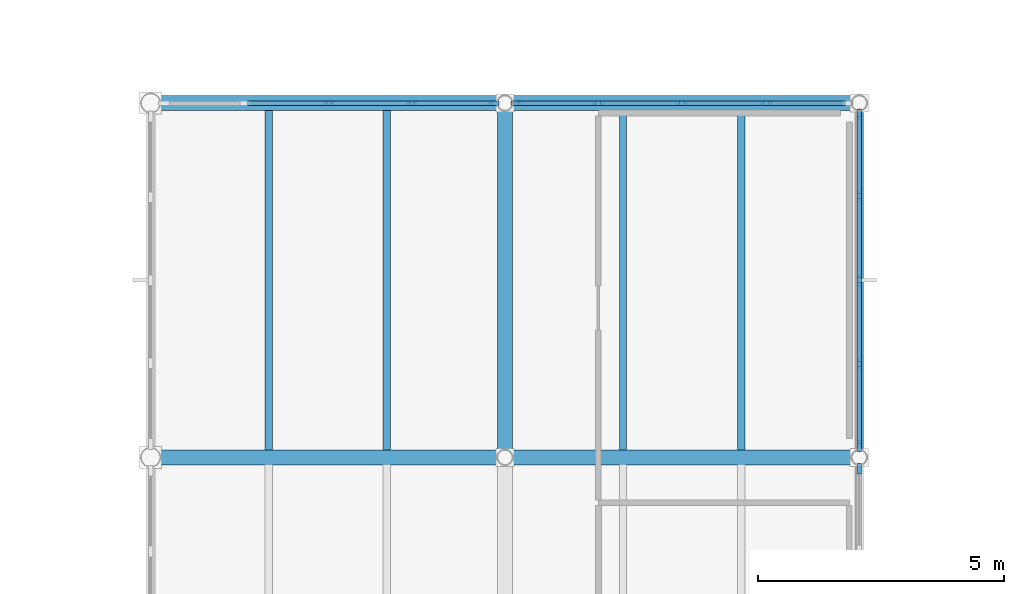
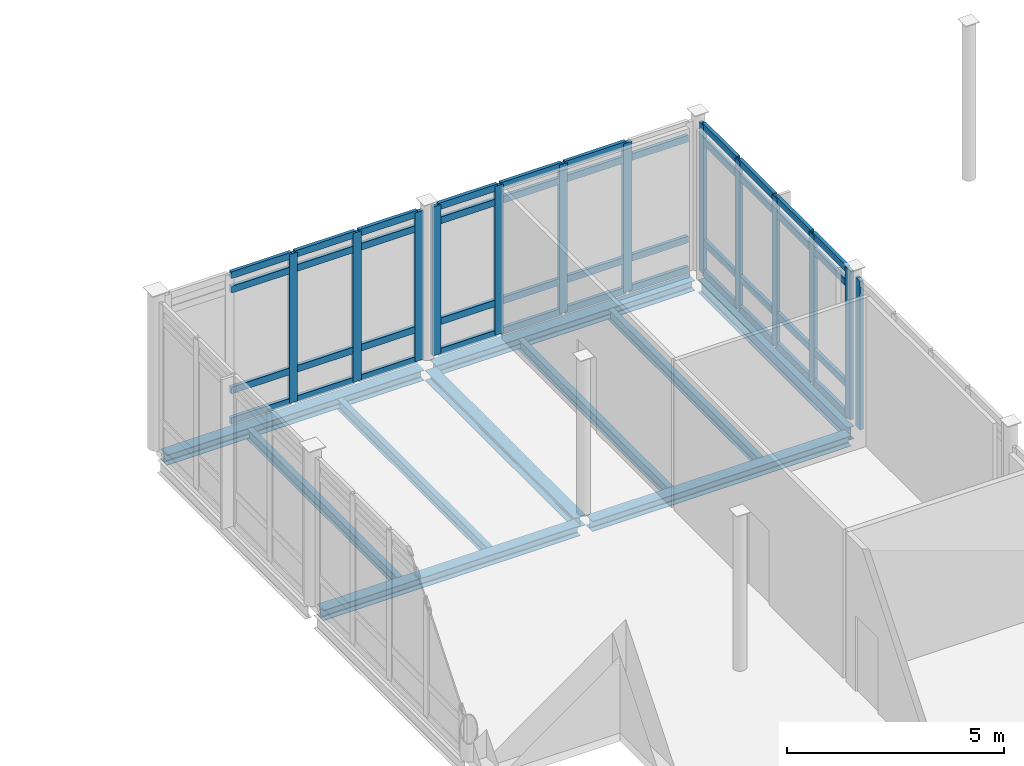
# One storey, part 32 of 76: 56 members, 10 beams, 4 elements without a shape of their own.
"""IFC4 building model written with IfcOpenShell, lengths in metres."""

from ifc_helpers import new_model, si_unit, direction, frame, origin, origin_2d, place, context, subcontext, project, spatial, rectangle, i_section, extrude, material, layer, layer_set, material_profile, profile_set, type_object, element, aggregate, save


model = new_model("IFC4")

# Units and contexts
model_context = context("Model", 3, precision=1e-05, world=origin(), true_north=direction((0.0, 1.0)))
body_context = subcontext(model_context, "Body", "Model", "MODEL_VIEW")
ifc_project = project(units=[si_unit("LENGTHUNIT", "METRE"), si_unit("AREAUNIT", "SQUARE_METRE"), si_unit("VOLUMEUNIT", "CUBIC_METRE"), si_unit("PLANEANGLEUNIT", "RADIAN"), si_unit("MASSUNIT", "GRAM", prefix="KILO")], contexts=[model_context])

# Site, building, storey
site_placement = place(None, origin())
site = spatial("IfcSite", under=ifc_project, at=site_placement, CompositionType="ELEMENT")
building_placement = place(site_placement, origin())
building = spatial("IfcBuilding", under=site, at=building_placement, Name="Zarrinpeak Specialist Clinic", CompositionType="ELEMENT")
storey_placement = place(building_placement, frame((0.0, 0.0, 5.199951171875)))
storey = spatial("IfcBuildingStorey", under=building, at=storey_placement, Name="L01", CompositionType="ELEMENT", Elevation=5.199951171875)

# Beams
ifc_material_1 = material(Name="Steel S355", Category="steel")
ifc_material_profile_1 = material_profile(ifc_material_1, i_section(OverallWidth=0.300048828125, OverallDepth=0.2900390625, WebThickness=0.008544921875, FlangeThickness=0.013916015625, FilletRadius=0.027099609375, at=origin_2d()), Name="HEA 300")
ifc_profile_set_1 = profile_set([ifc_material_profile_1], Name="Steel S355")
beam_type_1 = type_object("IfcBeamType", Name="BM-HEA300", PredefinedType="BEAM", material=ifc_profile_set_1)
beam_1_placement = place(storey_placement, frame((93.80126953125, 64.800048828125, -0.375), z_axis=(1.0, 0.0, 0.0), x_axis=(0.0, 1.0, 0.0)))
element("IfcBeam", 1, at=beam_1_placement, inside=storey, type_object=beam_type_1, Name="L01 Primary Floor Girder BM-L01-X0795", PredefinedType="BEAM", context=body_context, shape_type="SweptSolid", body=[
    extrude(i_section(OverallWidth=0.300048828125, OverallDepth=0.2900390625, WebThickness=0.008544921875, FlangeThickness=0.013916015625, FilletRadius=0.027099609375, at=origin_2d()), origin(), (0.0, 0.0, 1.0), 6.838623046875),
])
beam_2_placement = place(storey_placement, frame((100.9599609375, 64.800048828125, -0.375), z_axis=(1.0, 0.0, 0.0), x_axis=(0.0, 1.0, 0.0)))
element("IfcBeam", 2, at=beam_2_placement, inside=storey, type_object=beam_type_1, Name="L01 Primary Floor Girder BM-L01-X0796", PredefinedType="BEAM", context=body_context, shape_type="SweptSolid", body=[
    extrude(i_section(OverallWidth=0.300048828125, OverallDepth=0.2900390625, WebThickness=0.008544921875, FlangeThickness=0.013916015625, FilletRadius=0.027099609375, at=origin_2d()), origin(), (0.0, 0.0, 1.0), 6.880126953125),
])
beam_3_placement = place(storey_placement, frame((93.80126953125, 72.0, -0.375), z_axis=(1.0, 0.0, 0.0), x_axis=(0.0, 1.0, 0.0)))
element("IfcBeam", 3, at=beam_3_placement, inside=storey, type_object=beam_type_1, Name="L01 Primary Floor Girder BM-L01-X0801", PredefinedType="BEAM", context=body_context, shape_type="SweptSolid", body=[
    extrude(i_section(OverallWidth=0.300048828125, OverallDepth=0.2900390625, WebThickness=0.008544921875, FlangeThickness=0.013916015625, FilletRadius=0.027099609375, at=origin_2d()), origin(), (0.0, 0.0, 1.0), 6.838623046875),
])
for number, where, z_axis, x_axis, name in (
    (4, (100.9599609375, 72.0, -0.375), (1.0, 0.0, 0.0), (0.0, 1.0, 0.0), "L01 Primary Floor Girder BM-L01-X0802"),
    (5, (100.800048828125, 64.9599609375, -0.375), (0.0, 1.0, 0.0), (-1.0, 0.0, 0.0), "L01 Primary Beam BM-L01-Y0938"),
):
    element("IfcBeam", number, at=place(storey_placement, frame(where, z_axis=z_axis, x_axis=x_axis)), inside=storey, type_object=beam_type_1, Name=name, PredefinedType="BEAM", context=body_context, shape_type="SweptSolid", body=[
        extrude(i_section(OverallWidth=0.300048828125, OverallDepth=0.2900390625, WebThickness=0.008544921875, FlangeThickness=0.013916015625, FilletRadius=0.027099609375, at=origin_2d()), origin(), (0.0, 0.0, 1.0), 6.880126953125),
    ])
ifc_material_profile_2 = material_profile(ifc_material_1, i_section(OverallWidth=0.14990234375, OverallDepth=0.300048828125, WebThickness=0.007080078125, FlangeThickness=0.0107421875, FilletRadius=0.014892578125, at=origin_2d()), Name="IPE 300")
ifc_profile_set_2 = profile_set([ifc_material_profile_2], Name="Steel S355")
beam_type_2 = type_object("IfcBeamType", Name="BM-JST300", PredefinedType="JOIST", material=ifc_profile_set_2)
for number, where, z_axis, x_axis, name in (
    (6, (96.0, 64.947998046875, -0.3798828125), (0.0, 1.0, 0.0), (-1.0, 0.0, 0.0), "L01 Composite Floor Joist JST-L01-1031"),
    (7, (98.39990234375, 64.947998046875, -0.3798828125), (0.0, 1.0, 0.0), (-1.0, 0.0, 0.0), "L01 Composite Floor Joist JST-L01-1032"),
    (8, (103.199951171875, 64.947998046875, -0.3798828125), (0.0, 1.0, 0.0), (-1.0, 0.0, 0.0), "L01 Composite Floor Joist JST-L01-1043"),
    (9, (105.60009765625, 64.947998046875, -0.3798828125), (0.0, 1.0, 0.0), (-1.0, 0.0, 0.0), "L01 Composite Floor Joist JST-L01-1044"),
):
    element("IfcBeam", number, at=place(storey_placement, frame(where, z_axis=z_axis, x_axis=x_axis)), inside=storey, type_object=beam_type_2, Name=name, PredefinedType="JOIST", context=body_context, shape_type="SweptSolid", body=[
        extrude(i_section(OverallWidth=0.14990234375, OverallDepth=0.300048828125, WebThickness=0.007080078125, FlangeThickness=0.0107421875, FilletRadius=0.014892578125, at=origin_2d()), origin(), (0.0, 0.0, 1.0), 6.904052734375),
    ])
ifc_material_profile_3 = material_profile(ifc_material_1, i_section(OverallWidth=0.169921875, OverallDepth=0.360107421875, WebThickness=0.008056640625, FlangeThickness=0.0126953125, FilletRadius=0.01806640625, at=origin_2d()), Name="IPE 360")
ifc_profile_set_3 = profile_set([ifc_material_profile_3], Name="Steel S355")
beam_type_3 = type_object("IfcBeamType", Name="BM-SP360", PredefinedType="SPANDREL", material=ifc_profile_set_3)
beam_4_placement = place(storey_placement, frame((108.0, 64.9599609375, -0.409912109375), z_axis=(0.0, 1.0, 0.0), x_axis=(-1.0, 0.0, 0.0)))
element("IfcBeam", 10, at=beam_4_placement, inside=storey, type_object=beam_type_3, Name="L01 Perimeter Spandrel Beam BM-L01-Y0944", PredefinedType="SPANDREL", context=body_context, shape_type="SweptSolid", body=[
    extrude(i_section(OverallWidth=0.169921875, OverallDepth=0.360107421875, WebThickness=0.008056640625, FlangeThickness=0.0126953125, FilletRadius=0.01806640625, at=origin_2d()), origin(), (0.0, 0.0, 1.0), 6.880126953125),
])

# Curtain wall, members
ifc_material_2 = material(Name="Anodised Aluminium Alloy 6063-T6", Category="aluminium")
ifc_layer = layer(ifc_material_2, 0.199951171875)
ifc_layer_set = layer_set([ifc_layer], Name="Anodised Aluminium Alloy 6063-T6")
curtain_wall_type = type_object("IfcCurtainWallType", Name="CW-HALL", PredefinedType="NOTDEFINED", material=ifc_layer_set)
curtain_wall_1_placement = place(storey_placement, origin())
curtain_wall_1 = element("IfcCurtainWall", 11, at=curtain_wall_1_placement, inside=storey, type_object=curtain_wall_type, Name="L01 V3 Unitised Curtain Wall CW-L01-V3-099", PredefinedType="NOTDEFINED")
ifc_material_profile_4 = material_profile(ifc_material_2, rectangle(XDim=0.090087890625, YDim=0.219970703125, at=origin_2d()), Name="ALU 90x220")
ifc_profile_set_4 = profile_set([ifc_material_profile_4], Name="Anodised Aluminium Alloy 6063-T6")
member_type_1 = type_object("IfcMemberType", Name="CWM-90", PredefinedType="MULLION", material=ifc_profile_set_4)
member_1_placement = place(storey_placement, frame((100.568115234375, 72.0, 0.0), z_axis=(0.0, 0.0, 1.0), x_axis=(0.0, -1.0, 0.0)))
member_1 = element("IfcMember", 12, at=member_1_placement, type_object=member_type_1, Name="CW-02 mullion 1", PredefinedType="MULLION", context=body_context, shape_type="SweptSolid", body=[
    extrude(rectangle(XDim=0.090087890625, YDim=0.219970703125, at=origin_2d()), origin(), (0.0, 0.0, 1.0), 4.18505859375),
])
member_2_placement = place(storey_placement, frame((98.9169921875, 72.0, 0.0), z_axis=(0.0, 0.0, 1.0), x_axis=(0.0, -1.0, 0.0)))
member_2 = element("IfcMember", 13, at=member_2_placement, type_object=member_type_1, Name="CW-02 mullion 2", PredefinedType="MULLION", context=body_context, shape_type="SweptSolid", body=[
    extrude(rectangle(XDim=0.090087890625, YDim=0.219970703125, at=origin_2d()), origin(), (0.0, 0.0, 1.0), 4.18505859375),
])
member_3_placement = place(storey_placement, frame((97.220703125, 72.0, 0.0), z_axis=(0.0, 0.0, 1.0), x_axis=(0.0, -1.0, 0.0)))
member_3 = element("IfcMember", 14, at=member_3_placement, type_object=member_type_1, Name="CW-02 mullion 3", PredefinedType="MULLION", context=body_context, shape_type="SweptSolid", body=[
    extrude(rectangle(XDim=0.090087890625, YDim=0.219970703125, at=origin_2d()), origin(), (0.0, 0.0, 1.0), 4.18505859375),
])

curtain_wall_2_placement = place(storey_placement, origin())
curtain_wall_2 = element("IfcCurtainWall", 15, at=curtain_wall_2_placement, inside=storey, type_object=curtain_wall_type, Name="L01 V3 Unitised Curtain Wall CW-L01-V3-100", PredefinedType="NOTDEFINED")
member_4_placement = place(storey_placement, frame((106.1064453125, 72.0, 0.0), z_axis=(0.0, 0.0, 1.0), x_axis=(0.0, -1.0, 0.0)))
member_4 = element("IfcMember", 16, at=member_4_placement, type_object=member_type_1, Name="CW-02 mullion 2", PredefinedType="MULLION", context=body_context, shape_type="SweptSolid", body=[
    extrude(rectangle(XDim=0.090087890625, YDim=0.219970703125, at=origin_2d()), origin(), (0.0, 0.0, 1.0), 4.18505859375),
])
member_5_placement = place(storey_placement, frame((104.39990234375, 72.0, 0.0), z_axis=(0.0, 0.0, 1.0), x_axis=(0.0, -1.0, 0.0)))
member_5 = element("IfcMember", 17, at=member_5_placement, type_object=member_type_1, Name="CW-02 mullion 3", PredefinedType="MULLION", context=body_context, shape_type="SweptSolid", body=[
    extrude(rectangle(XDim=0.090087890625, YDim=0.219970703125, at=origin_2d()), origin(), (0.0, 0.0, 1.0), 4.18505859375),
])
member_6_placement = place(storey_placement, frame((102.693359375, 72.0, 0.0), z_axis=(0.0, 0.0, 1.0), x_axis=(0.0, -1.0, 0.0)))
member_6 = element("IfcMember", 18, at=member_6_placement, type_object=member_type_1, Name="CW-02 mullion 4", PredefinedType="MULLION", context=body_context, shape_type="SweptSolid", body=[
    extrude(rectangle(XDim=0.090087890625, YDim=0.219970703125, at=origin_2d()), origin(), (0.0, 0.0, 1.0), 4.18505859375),
])
member_7_placement = place(storey_placement, frame((101.031982421875, 72.0, 0.0), z_axis=(0.0, 0.0, 1.0), x_axis=(0.0, -1.0, 0.0)))
member_7 = element("IfcMember", 19, at=member_7_placement, type_object=member_type_1, Name="CW-02 mullion 5", PredefinedType="MULLION", context=body_context, shape_type="SweptSolid", body=[
    extrude(rectangle(XDim=0.090087890625, YDim=0.219970703125, at=origin_2d()), origin(), (0.0, 0.0, 1.0), 4.18505859375),
])

# Curtain wall, member
curtain_wall_3_placement = place(storey_placement, origin())
curtain_wall_3 = element("IfcCurtainWall", 20, at=curtain_wall_3_placement, inside=storey, type_object=curtain_wall_type, Name="L01 V3 Unitised Curtain Wall CW-L01-V3-109", PredefinedType="NOTDEFINED")
member_8_placement = place(storey_placement, frame((108.0, 64.568115234375, 0.0), z_axis=(0.0, 0.0, 1.0), x_axis=(-1.0, 0.0, 0.0)))
member_8 = element("IfcMember", 21, at=member_8_placement, type_object=member_type_1, Name="CW-02 mullion 5", PredefinedType="MULLION", context=body_context, shape_type="SweptSolid", body=[
    extrude(rectangle(XDim=0.090087890625, YDim=0.219970703125, at=origin_2d()), origin(), (0.0, 0.0, 1.0), 4.18505859375),
])
aggregate(curtain_wall_3, [member_8])

# Curtain wall, members
curtain_wall_4_placement = place(storey_placement, origin())
curtain_wall_4 = element("IfcCurtainWall", 22, at=curtain_wall_4_placement, inside=storey, type_object=curtain_wall_type, Name="L01 V3 Unitised Curtain Wall CW-L01-V3-110", PredefinedType="NOTDEFINED")
member_9_placement = place(storey_placement, frame((108.0, 65.031982421875, 0.0), z_axis=(0.0, 0.0, 1.0), x_axis=(-1.0, 0.0, 0.0)))
member_9 = element("IfcMember", 23, at=member_9_placement, type_object=member_type_1, Name="CW-02 mullion 1", PredefinedType="MULLION", context=body_context, shape_type="SweptSolid", body=[
    extrude(rectangle(XDim=0.090087890625, YDim=0.219970703125, at=origin_2d()), origin(), (0.0, 0.0, 1.0), 4.18505859375),
])
member_10_placement = place(storey_placement, frame((108.0, 66.693359375, 0.0), z_axis=(0.0, 0.0, 1.0), x_axis=(-1.0, 0.0, 0.0)))
member_10 = element("IfcMember", 24, at=member_10_placement, type_object=member_type_1, Name="CW-02 mullion 2", PredefinedType="MULLION", context=body_context, shape_type="SweptSolid", body=[
    extrude(rectangle(XDim=0.090087890625, YDim=0.219970703125, at=origin_2d()), origin(), (0.0, 0.0, 1.0), 4.18505859375),
])
member_11_placement = place(storey_placement, frame((108.0, 68.39990234375, 0.0), z_axis=(0.0, 0.0, 1.0), x_axis=(-1.0, 0.0, 0.0)))
member_11 = element("IfcMember", 25, at=member_11_placement, type_object=member_type_1, Name="CW-02 mullion 3", PredefinedType="MULLION", context=body_context, shape_type="SweptSolid", body=[
    extrude(rectangle(XDim=0.090087890625, YDim=0.219970703125, at=origin_2d()), origin(), (0.0, 0.0, 1.0), 4.18505859375),
])
member_12_placement = place(storey_placement, frame((108.0, 70.1064453125, 0.0), z_axis=(0.0, 0.0, 1.0), x_axis=(-1.0, 0.0, 0.0)))
member_12 = element("IfcMember", 26, at=member_12_placement, type_object=member_type_1, Name="CW-02 mullion 4", PredefinedType="MULLION", context=body_context, shape_type="SweptSolid", body=[
    extrude(rectangle(XDim=0.090087890625, YDim=0.219970703125, at=origin_2d()), origin(), (0.0, 0.0, 1.0), 4.18505859375),
])
member_13_placement = place(storey_placement, frame((108.0, 71.76806640625, 0.0), z_axis=(0.0, 0.0, 1.0), x_axis=(-1.0, 0.0, 0.0)))
member_13 = element("IfcMember", 27, at=member_13_placement, type_object=member_type_1, Name="CW-02 mullion 5", PredefinedType="MULLION", context=body_context, shape_type="SweptSolid", body=[
    extrude(rectangle(XDim=0.090087890625, YDim=0.219970703125, at=origin_2d()), origin(), (0.0, 0.0, 1.0), 4.18505859375),
])

# Member
ifc_material_profile_5 = material_profile(ifc_material_2, rectangle(XDim=0.090087890625, YDim=0.18994140625, at=origin_2d()), Name="ALU 90x190")
ifc_profile_set_5 = profile_set([ifc_material_profile_5], Name="Anodised Aluminium Alloy 6063-T6")
member_type_2 = type_object("IfcMemberType", Name="CWT-90", PredefinedType="USERDEFINED", material=ifc_profile_set_5)
member_14_placement = place(storey_placement, frame((100.523193359375, 72.0, 0.045166015625), z_axis=(-1.0, 0.0, 0.0), x_axis=(0.0, -1.0, 0.0)))
member_14 = element("IfcMember", 28, at=member_14_placement, type_object=member_type_2, Name="CW-02 transom 1.1", ObjectType="TRANSOM", PredefinedType="USERDEFINED", context=body_context, shape_type="SweptSolid", body=[
    extrude(rectangle(XDim=0.090087890625, YDim=0.18994140625, at=origin_2d()), origin(), (0.0, 0.0, 1.0), 1.561279296875),
])

member_15_placement = place(storey_placement, frame((100.523193359375, 72.0, 0.900146484375), z_axis=(-1.0, 0.0, 0.0), x_axis=(0.0, -1.0, 0.0)))
member_15 = element("IfcMember", 29, at=member_15_placement, type_object=member_type_2, Name="CW-02 transom 1.2", ObjectType="TRANSOM", PredefinedType="USERDEFINED", context=body_context, shape_type="SweptSolid", body=[
    extrude(rectangle(XDim=0.090087890625, YDim=0.18994140625, at=origin_2d()), origin(), (0.0, 0.0, 1.0), 1.561279296875),
])

member_16_placement = place(storey_placement, frame((100.523193359375, 72.0, 3.735107421875), z_axis=(-1.0, 0.0, 0.0), x_axis=(0.0, -1.0, 0.0)))
member_16 = element("IfcMember", 30, at=member_16_placement, type_object=member_type_2, Name="CW-02 transom 1.3", ObjectType="TRANSOM", PredefinedType="USERDEFINED", context=body_context, shape_type="SweptSolid", body=[
    extrude(rectangle(XDim=0.090087890625, YDim=0.18994140625, at=origin_2d()), origin(), (0.0, 0.0, 1.0), 1.561279296875),
])

member_17_placement = place(storey_placement, frame((100.523193359375, 72.0, 4.14013671875), z_axis=(-1.0, 0.0, 0.0), x_axis=(0.0, -1.0, 0.0)))
member_17 = element("IfcMember", 31, at=member_17_placement, type_object=member_type_2, Name="CW-02 transom 1.4", ObjectType="TRANSOM", PredefinedType="USERDEFINED", context=body_context, shape_type="SweptSolid", body=[
    extrude(rectangle(XDim=0.090087890625, YDim=0.18994140625, at=origin_2d()), origin(), (0.0, 0.0, 1.0), 1.561279296875),
])

member_18_placement = place(storey_placement, frame((98.871826171875, 72.0, 0.045166015625), z_axis=(-1.0, 0.0, 0.0), x_axis=(0.0, -1.0, 0.0)))
member_18 = element("IfcMember", 32, at=member_18_placement, type_object=member_type_2, Name="CW-02 transom 2.1", ObjectType="TRANSOM", PredefinedType="USERDEFINED", context=body_context, shape_type="SweptSolid", body=[
    extrude(rectangle(XDim=0.090087890625, YDim=0.18994140625, at=origin_2d()), origin(), (0.0, 0.0, 1.0), 1.606201171875),
])

member_19_placement = place(storey_placement, frame((98.871826171875, 72.0, 0.900146484375), z_axis=(-1.0, 0.0, 0.0), x_axis=(0.0, -1.0, 0.0)))
member_19 = element("IfcMember", 33, at=member_19_placement, type_object=member_type_2, Name="CW-02 transom 2.2", ObjectType="TRANSOM", PredefinedType="USERDEFINED", context=body_context, shape_type="SweptSolid", body=[
    extrude(rectangle(XDim=0.090087890625, YDim=0.18994140625, at=origin_2d()), origin(), (0.0, 0.0, 1.0), 1.606201171875),
])

member_20_placement = place(storey_placement, frame((98.871826171875, 72.0, 3.735107421875), z_axis=(-1.0, 0.0, 0.0), x_axis=(0.0, -1.0, 0.0)))
member_20 = element("IfcMember", 34, at=member_20_placement, type_object=member_type_2, Name="CW-02 transom 2.3", ObjectType="TRANSOM", PredefinedType="USERDEFINED", context=body_context, shape_type="SweptSolid", body=[
    extrude(rectangle(XDim=0.090087890625, YDim=0.18994140625, at=origin_2d()), origin(), (0.0, 0.0, 1.0), 1.606201171875),
])

member_21_placement = place(storey_placement, frame((98.871826171875, 72.0, 4.14013671875), z_axis=(-1.0, 0.0, 0.0), x_axis=(0.0, -1.0, 0.0)))
member_21 = element("IfcMember", 35, at=member_21_placement, type_object=member_type_2, Name="CW-02 transom 2.4", ObjectType="TRANSOM", PredefinedType="USERDEFINED", context=body_context, shape_type="SweptSolid", body=[
    extrude(rectangle(XDim=0.090087890625, YDim=0.18994140625, at=origin_2d()), origin(), (0.0, 0.0, 1.0), 1.606201171875),
])

member_22_placement = place(storey_placement, frame((97.175537109375, 72.0, 0.045166015625), z_axis=(-1.0, 0.0, 0.0), x_axis=(0.0, -1.0, 0.0)))
member_22 = element("IfcMember", 36, at=member_22_placement, type_object=member_type_2, Name="CW-02 transom 3.1", ObjectType="TRANSOM", PredefinedType="USERDEFINED", context=body_context, shape_type="SweptSolid", body=[
    extrude(rectangle(XDim=0.090087890625, YDim=0.18994140625, at=origin_2d()), origin(), (0.0, 0.0, 1.0), 1.606201171875),
])

member_23_placement = place(storey_placement, frame((97.175537109375, 72.0, 0.900146484375), z_axis=(-1.0, 0.0, 0.0), x_axis=(0.0, -1.0, 0.0)))
member_23 = element("IfcMember", 37, at=member_23_placement, type_object=member_type_2, Name="CW-02 transom 3.2", ObjectType="TRANSOM", PredefinedType="USERDEFINED", context=body_context, shape_type="SweptSolid", body=[
    extrude(rectangle(XDim=0.090087890625, YDim=0.18994140625, at=origin_2d()), origin(), (0.0, 0.0, 1.0), 1.606201171875),
])

member_24_placement = place(storey_placement, frame((97.175537109375, 72.0, 3.735107421875), z_axis=(-1.0, 0.0, 0.0), x_axis=(0.0, -1.0, 0.0)))
member_24 = element("IfcMember", 38, at=member_24_placement, type_object=member_type_2, Name="CW-02 transom 3.3", ObjectType="TRANSOM", PredefinedType="USERDEFINED", context=body_context, shape_type="SweptSolid", body=[
    extrude(rectangle(XDim=0.090087890625, YDim=0.18994140625, at=origin_2d()), origin(), (0.0, 0.0, 1.0), 1.606201171875),
])

member_25_placement = place(storey_placement, frame((97.175537109375, 72.0, 4.14013671875), z_axis=(-1.0, 0.0, 0.0), x_axis=(0.0, -1.0, 0.0)))
member_25 = element("IfcMember", 39, at=member_25_placement, type_object=member_type_2, Name="CW-02 transom 3.4", ObjectType="TRANSOM", PredefinedType="USERDEFINED", context=body_context, shape_type="SweptSolid", body=[
    extrude(rectangle(XDim=0.090087890625, YDim=0.18994140625, at=origin_2d()), origin(), (0.0, 0.0, 1.0), 1.606201171875),
])

aggregate(curtain_wall_1, [member_1, member_2, member_3, member_14, member_15, member_16, member_17, member_18, member_19, member_20, member_21, member_22, member_23, member_24, member_25])

member_26_placement = place(storey_placement, frame((107.72314453125, 72.0, 0.045166015625), z_axis=(-1.0, 0.0, 0.0), x_axis=(0.0, -1.0, 0.0)))
member_26 = element("IfcMember", 40, at=member_26_placement, type_object=member_type_2, Name="CW-02 transom 1.1", ObjectType="TRANSOM", PredefinedType="USERDEFINED", context=body_context, shape_type="SweptSolid", body=[
    extrude(rectangle(XDim=0.090087890625, YDim=0.18994140625, at=origin_2d()), origin(), (0.0, 0.0, 1.0), 1.571533203125),
])

member_27_placement = place(storey_placement, frame((107.72314453125, 72.0, 0.900146484375), z_axis=(-1.0, 0.0, 0.0), x_axis=(0.0, -1.0, 0.0)))
member_27 = element("IfcMember", 41, at=member_27_placement, type_object=member_type_2, Name="CW-02 transom 1.2", ObjectType="TRANSOM", PredefinedType="USERDEFINED", context=body_context, shape_type="SweptSolid", body=[
    extrude(rectangle(XDim=0.090087890625, YDim=0.18994140625, at=origin_2d()), origin(), (0.0, 0.0, 1.0), 1.571533203125),
])

member_28_placement = place(storey_placement, frame((107.72314453125, 72.0, 3.735107421875), z_axis=(-1.0, 0.0, 0.0), x_axis=(0.0, -1.0, 0.0)))
member_28 = element("IfcMember", 42, at=member_28_placement, type_object=member_type_2, Name="CW-02 transom 1.3", ObjectType="TRANSOM", PredefinedType="USERDEFINED", context=body_context, shape_type="SweptSolid", body=[
    extrude(rectangle(XDim=0.090087890625, YDim=0.18994140625, at=origin_2d()), origin(), (0.0, 0.0, 1.0), 1.571533203125),
])

member_29_placement = place(storey_placement, frame((106.0615234375, 72.0, 0.045166015625), z_axis=(-1.0, 0.0, 0.0), x_axis=(0.0, -1.0, 0.0)))
member_29 = element("IfcMember", 43, at=member_29_placement, type_object=member_type_2, Name="CW-02 transom 2.1", ObjectType="TRANSOM", PredefinedType="USERDEFINED", context=body_context, shape_type="SweptSolid", body=[
    extrude(rectangle(XDim=0.090087890625, YDim=0.18994140625, at=origin_2d()), origin(), (0.0, 0.0, 1.0), 1.616455078125),
])

member_30_placement = place(storey_placement, frame((106.0615234375, 72.0, 0.900146484375), z_axis=(-1.0, 0.0, 0.0), x_axis=(0.0, -1.0, 0.0)))
member_30 = element("IfcMember", 44, at=member_30_placement, type_object=member_type_2, Name="CW-02 transom 2.2", ObjectType="TRANSOM", PredefinedType="USERDEFINED", context=body_context, shape_type="SweptSolid", body=[
    extrude(rectangle(XDim=0.090087890625, YDim=0.18994140625, at=origin_2d()), origin(), (0.0, 0.0, 1.0), 1.616455078125),
])

member_31_placement = place(storey_placement, frame((106.0615234375, 72.0, 3.735107421875), z_axis=(-1.0, 0.0, 0.0), x_axis=(0.0, -1.0, 0.0)))
member_31 = element("IfcMember", 45, at=member_31_placement, type_object=member_type_2, Name="CW-02 transom 2.3", ObjectType="TRANSOM", PredefinedType="USERDEFINED", context=body_context, shape_type="SweptSolid", body=[
    extrude(rectangle(XDim=0.090087890625, YDim=0.18994140625, at=origin_2d()), origin(), (0.0, 0.0, 1.0), 1.616455078125),
])

member_32_placement = place(storey_placement, frame((106.0615234375, 72.0, 4.14013671875), z_axis=(-1.0, 0.0, 0.0), x_axis=(0.0, -1.0, 0.0)))
member_32 = element("IfcMember", 46, at=member_32_placement, type_object=member_type_2, Name="CW-02 transom 2.4", ObjectType="TRANSOM", PredefinedType="USERDEFINED", context=body_context, shape_type="SweptSolid", body=[
    extrude(rectangle(XDim=0.090087890625, YDim=0.18994140625, at=origin_2d()), origin(), (0.0, 0.0, 1.0), 1.616455078125),
])

member_33_placement = place(storey_placement, frame((104.35498046875, 72.0, 0.045166015625), z_axis=(-1.0, 0.0, 0.0), x_axis=(0.0, -1.0, 0.0)))
member_33 = element("IfcMember", 47, at=member_33_placement, type_object=member_type_2, Name="CW-02 transom 3.1", ObjectType="TRANSOM", PredefinedType="USERDEFINED", context=body_context, shape_type="SweptSolid", body=[
    extrude(rectangle(XDim=0.090087890625, YDim=0.18994140625, at=origin_2d()), origin(), (0.0, 0.0, 1.0), 1.616455078125),
])

member_34_placement = place(storey_placement, frame((104.35498046875, 72.0, 0.900146484375), z_axis=(-1.0, 0.0, 0.0), x_axis=(0.0, -1.0, 0.0)))
member_34 = element("IfcMember", 48, at=member_34_placement, type_object=member_type_2, Name="CW-02 transom 3.2", ObjectType="TRANSOM", PredefinedType="USERDEFINED", context=body_context, shape_type="SweptSolid", body=[
    extrude(rectangle(XDim=0.090087890625, YDim=0.18994140625, at=origin_2d()), origin(), (0.0, 0.0, 1.0), 1.616455078125),
])

member_35_placement = place(storey_placement, frame((104.35498046875, 72.0, 3.735107421875), z_axis=(-1.0, 0.0, 0.0), x_axis=(0.0, -1.0, 0.0)))
member_35 = element("IfcMember", 49, at=member_35_placement, type_object=member_type_2, Name="CW-02 transom 3.3", ObjectType="TRANSOM", PredefinedType="USERDEFINED", context=body_context, shape_type="SweptSolid", body=[
    extrude(rectangle(XDim=0.090087890625, YDim=0.18994140625, at=origin_2d()), origin(), (0.0, 0.0, 1.0), 1.616455078125),
])

member_36_placement = place(storey_placement, frame((104.35498046875, 72.0, 4.14013671875), z_axis=(-1.0, 0.0, 0.0), x_axis=(0.0, -1.0, 0.0)))
member_36 = element("IfcMember", 50, at=member_36_placement, type_object=member_type_2, Name="CW-02 transom 3.4", ObjectType="TRANSOM", PredefinedType="USERDEFINED", context=body_context, shape_type="SweptSolid", body=[
    extrude(rectangle(XDim=0.090087890625, YDim=0.18994140625, at=origin_2d()), origin(), (0.0, 0.0, 1.0), 1.616455078125),
])

member_37_placement = place(storey_placement, frame((102.6484375, 72.0, 0.045166015625), z_axis=(-1.0, 0.0, 0.0), x_axis=(0.0, -1.0, 0.0)))
member_37 = element("IfcMember", 51, at=member_37_placement, type_object=member_type_2, Name="CW-02 transom 4.1", ObjectType="TRANSOM", PredefinedType="USERDEFINED", context=body_context, shape_type="SweptSolid", body=[
    extrude(rectangle(XDim=0.090087890625, YDim=0.18994140625, at=origin_2d()), origin(), (0.0, 0.0, 1.0), 1.571533203125),
])

member_38_placement = place(storey_placement, frame((102.6484375, 72.0, 0.900146484375), z_axis=(-1.0, 0.0, 0.0), x_axis=(0.0, -1.0, 0.0)))
member_38 = element("IfcMember", 52, at=member_38_placement, type_object=member_type_2, Name="CW-02 transom 4.2", ObjectType="TRANSOM", PredefinedType="USERDEFINED", context=body_context, shape_type="SweptSolid", body=[
    extrude(rectangle(XDim=0.090087890625, YDim=0.18994140625, at=origin_2d()), origin(), (0.0, 0.0, 1.0), 1.571533203125),
])

member_39_placement = place(storey_placement, frame((102.6484375, 72.0, 3.735107421875), z_axis=(-1.0, 0.0, 0.0), x_axis=(0.0, -1.0, 0.0)))
member_39 = element("IfcMember", 53, at=member_39_placement, type_object=member_type_2, Name="CW-02 transom 4.3", ObjectType="TRANSOM", PredefinedType="USERDEFINED", context=body_context, shape_type="SweptSolid", body=[
    extrude(rectangle(XDim=0.090087890625, YDim=0.18994140625, at=origin_2d()), origin(), (0.0, 0.0, 1.0), 1.571533203125),
])

member_40_placement = place(storey_placement, frame((102.6484375, 72.0, 4.14013671875), z_axis=(-1.0, 0.0, 0.0), x_axis=(0.0, -1.0, 0.0)))
member_40 = element("IfcMember", 54, at=member_40_placement, type_object=member_type_2, Name="CW-02 transom 4.4", ObjectType="TRANSOM", PredefinedType="USERDEFINED", context=body_context, shape_type="SweptSolid", body=[
    extrude(rectangle(XDim=0.090087890625, YDim=0.18994140625, at=origin_2d()), origin(), (0.0, 0.0, 1.0), 1.571533203125),
])

aggregate(curtain_wall_2, [member_4, member_5, member_6, member_7, member_26, member_27, member_28, member_29, member_30, member_31, member_32, member_33, member_34, member_35, member_36, member_37, member_38, member_39, member_40])

member_41_placement = place(storey_placement, frame((108.0, 65.076904296875, 0.045166015625), z_axis=(0.0, 1.0, 0.0), x_axis=(-1.0, 0.0, 0.0)))
member_41 = element("IfcMember", 55, at=member_41_placement, type_object=member_type_2, Name="CW-02 transom 1.1", ObjectType="TRANSOM", PredefinedType="USERDEFINED", context=body_context, shape_type="SweptSolid", body=[
    extrude(rectangle(XDim=0.090087890625, YDim=0.18994140625, at=origin_2d()), origin(), (0.0, 0.0, 1.0), 1.571533203125),
])

member_42_placement = place(storey_placement, frame((108.0, 65.076904296875, 0.900146484375), z_axis=(0.0, 1.0, 0.0), x_axis=(-1.0, 0.0, 0.0)))
member_42 = element("IfcMember", 56, at=member_42_placement, type_object=member_type_2, Name="CW-02 transom 1.2", ObjectType="TRANSOM", PredefinedType="USERDEFINED", context=body_context, shape_type="SweptSolid", body=[
    extrude(rectangle(XDim=0.090087890625, YDim=0.18994140625, at=origin_2d()), origin(), (0.0, 0.0, 1.0), 1.571533203125),
])

member_43_placement = place(storey_placement, frame((108.0, 65.076904296875, 3.735107421875), z_axis=(0.0, 1.0, 0.0), x_axis=(-1.0, 0.0, 0.0)))
member_43 = element("IfcMember", 57, at=member_43_placement, type_object=member_type_2, Name="CW-02 transom 1.3", ObjectType="TRANSOM", PredefinedType="USERDEFINED", context=body_context, shape_type="SweptSolid", body=[
    extrude(rectangle(XDim=0.090087890625, YDim=0.18994140625, at=origin_2d()), origin(), (0.0, 0.0, 1.0), 1.571533203125),
])

member_44_placement = place(storey_placement, frame((108.0, 65.076904296875, 4.14013671875), z_axis=(0.0, 1.0, 0.0), x_axis=(-1.0, 0.0, 0.0)))
member_44 = element("IfcMember", 58, at=member_44_placement, type_object=member_type_2, Name="CW-02 transom 1.4", ObjectType="TRANSOM", PredefinedType="USERDEFINED", context=body_context, shape_type="SweptSolid", body=[
    extrude(rectangle(XDim=0.090087890625, YDim=0.18994140625, at=origin_2d()), origin(), (0.0, 0.0, 1.0), 1.571533203125),
])

member_45_placement = place(storey_placement, frame((108.0, 66.738525390625, 0.045166015625), z_axis=(0.0, 1.0, 0.0), x_axis=(-1.0, 0.0, 0.0)))
member_45 = element("IfcMember", 59, at=member_45_placement, type_object=member_type_2, Name="CW-02 transom 2.1", ObjectType="TRANSOM", PredefinedType="USERDEFINED", context=body_context, shape_type="SweptSolid", body=[
    extrude(rectangle(XDim=0.090087890625, YDim=0.18994140625, at=origin_2d()), origin(), (0.0, 0.0, 1.0), 1.616455078125),
])

member_46_placement = place(storey_placement, frame((108.0, 66.738525390625, 0.900146484375), z_axis=(0.0, 1.0, 0.0), x_axis=(-1.0, 0.0, 0.0)))
member_46 = element("IfcMember", 60, at=member_46_placement, type_object=member_type_2, Name="CW-02 transom 2.2", ObjectType="TRANSOM", PredefinedType="USERDEFINED", context=body_context, shape_type="SweptSolid", body=[
    extrude(rectangle(XDim=0.090087890625, YDim=0.18994140625, at=origin_2d()), origin(), (0.0, 0.0, 1.0), 1.616455078125),
])

member_47_placement = place(storey_placement, frame((108.0, 66.738525390625, 3.735107421875), z_axis=(0.0, 1.0, 0.0), x_axis=(-1.0, 0.0, 0.0)))
member_47 = element("IfcMember", 61, at=member_47_placement, type_object=member_type_2, Name="CW-02 transom 2.3", ObjectType="TRANSOM", PredefinedType="USERDEFINED", context=body_context, shape_type="SweptSolid", body=[
    extrude(rectangle(XDim=0.090087890625, YDim=0.18994140625, at=origin_2d()), origin(), (0.0, 0.0, 1.0), 1.616455078125),
])

member_48_placement = place(storey_placement, frame((108.0, 66.738525390625, 4.14013671875), z_axis=(0.0, 1.0, 0.0), x_axis=(-1.0, 0.0, 0.0)))
member_48 = element("IfcMember", 62, at=member_48_placement, type_object=member_type_2, Name="CW-02 transom 2.4", ObjectType="TRANSOM", PredefinedType="USERDEFINED", context=body_context, shape_type="SweptSolid", body=[
    extrude(rectangle(XDim=0.090087890625, YDim=0.18994140625, at=origin_2d()), origin(), (0.0, 0.0, 1.0), 1.616455078125),
])

member_49_placement = place(storey_placement, frame((108.0, 68.445068359375, 0.045166015625), z_axis=(0.0, 1.0, 0.0), x_axis=(-1.0, 0.0, 0.0)))
member_49 = element("IfcMember", 63, at=member_49_placement, type_object=member_type_2, Name="CW-02 transom 3.1", ObjectType="TRANSOM", PredefinedType="USERDEFINED", context=body_context, shape_type="SweptSolid", body=[
    extrude(rectangle(XDim=0.090087890625, YDim=0.18994140625, at=origin_2d()), origin(), (0.0, 0.0, 1.0), 1.616455078125),
])

member_50_placement = place(storey_placement, frame((108.0, 68.445068359375, 0.900146484375), z_axis=(0.0, 1.0, 0.0), x_axis=(-1.0, 0.0, 0.0)))
member_50 = element("IfcMember", 64, at=member_50_placement, type_object=member_type_2, Name="CW-02 transom 3.2", ObjectType="TRANSOM", PredefinedType="USERDEFINED", context=body_context, shape_type="SweptSolid", body=[
    extrude(rectangle(XDim=0.090087890625, YDim=0.18994140625, at=origin_2d()), origin(), (0.0, 0.0, 1.0), 1.616455078125),
])

member_51_placement = place(storey_placement, frame((108.0, 68.445068359375, 3.735107421875), z_axis=(0.0, 1.0, 0.0), x_axis=(-1.0, 0.0, 0.0)))
member_51 = element("IfcMember", 65, at=member_51_placement, type_object=member_type_2, Name="CW-02 transom 3.3", ObjectType="TRANSOM", PredefinedType="USERDEFINED", context=body_context, shape_type="SweptSolid", body=[
    extrude(rectangle(XDim=0.090087890625, YDim=0.18994140625, at=origin_2d()), origin(), (0.0, 0.0, 1.0), 1.616455078125),
])

member_52_placement = place(storey_placement, frame((108.0, 68.445068359375, 4.14013671875), z_axis=(0.0, 1.0, 0.0), x_axis=(-1.0, 0.0, 0.0)))
member_52 = element("IfcMember", 66, at=member_52_placement, type_object=member_type_2, Name="CW-02 transom 3.4", ObjectType="TRANSOM", PredefinedType="USERDEFINED", context=body_context, shape_type="SweptSolid", body=[
    extrude(rectangle(XDim=0.090087890625, YDim=0.18994140625, at=origin_2d()), origin(), (0.0, 0.0, 1.0), 1.616455078125),
])

member_53_placement = place(storey_placement, frame((108.0, 70.151611328125, 0.045166015625), z_axis=(0.0, 1.0, 0.0), x_axis=(-1.0, 0.0, 0.0)))
member_53 = element("IfcMember", 67, at=member_53_placement, type_object=member_type_2, Name="CW-02 transom 4.1", ObjectType="TRANSOM", PredefinedType="USERDEFINED", context=body_context, shape_type="SweptSolid", body=[
    extrude(rectangle(XDim=0.090087890625, YDim=0.18994140625, at=origin_2d()), origin(), (0.0, 0.0, 1.0), 1.571533203125),
])

member_54_placement = place(storey_placement, frame((108.0, 70.151611328125, 0.900146484375), z_axis=(0.0, 1.0, 0.0), x_axis=(-1.0, 0.0, 0.0)))
member_54 = element("IfcMember", 68, at=member_54_placement, type_object=member_type_2, Name="CW-02 transom 4.2", ObjectType="TRANSOM", PredefinedType="USERDEFINED", context=body_context, shape_type="SweptSolid", body=[
    extrude(rectangle(XDim=0.090087890625, YDim=0.18994140625, at=origin_2d()), origin(), (0.0, 0.0, 1.0), 1.571533203125),
])

member_55_placement = place(storey_placement, frame((108.0, 70.151611328125, 3.735107421875), z_axis=(0.0, 1.0, 0.0), x_axis=(-1.0, 0.0, 0.0)))
member_55 = element("IfcMember", 69, at=member_55_placement, type_object=member_type_2, Name="CW-02 transom 4.3", ObjectType="TRANSOM", PredefinedType="USERDEFINED", context=body_context, shape_type="SweptSolid", body=[
    extrude(rectangle(XDim=0.090087890625, YDim=0.18994140625, at=origin_2d()), origin(), (0.0, 0.0, 1.0), 1.571533203125),
])

member_56_placement = place(storey_placement, frame((108.0, 70.151611328125, 4.14013671875), z_axis=(0.0, 1.0, 0.0), x_axis=(-1.0, 0.0, 0.0)))
member_56 = element("IfcMember", 70, at=member_56_placement, type_object=member_type_2, Name="CW-02 transom 4.4", ObjectType="TRANSOM", PredefinedType="USERDEFINED", context=body_context, shape_type="SweptSolid", body=[
    extrude(rectangle(XDim=0.090087890625, YDim=0.18994140625, at=origin_2d()), origin(), (0.0, 0.0, 1.0), 1.571533203125),
])

aggregate(curtain_wall_4, [member_9, member_10, member_11, member_12, member_13, member_41, member_42, member_43, member_44, member_45, member_46, member_47, member_48, member_49, member_50, member_51, member_52, member_53, member_54, member_55, member_56])

save(model, "model.ifc")
